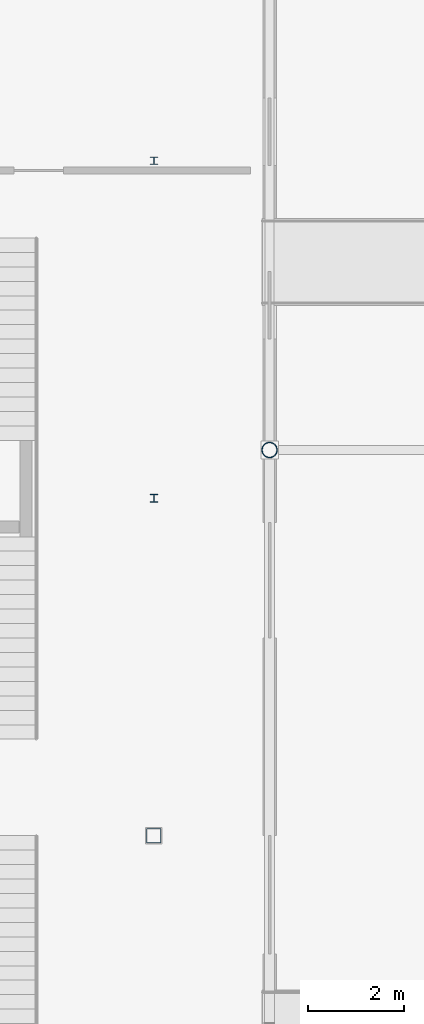
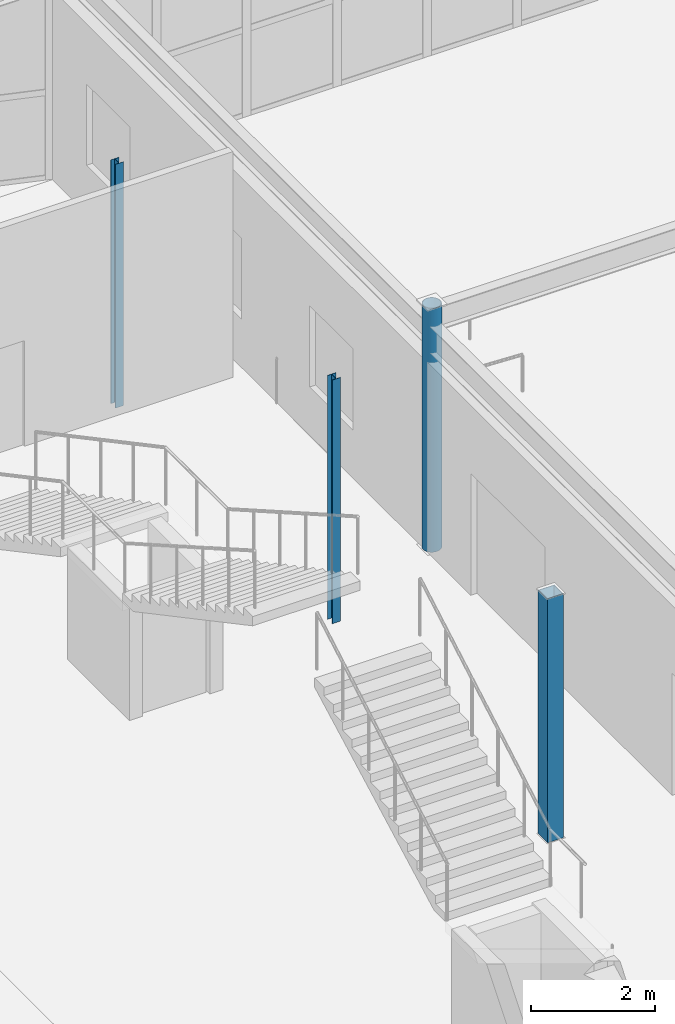
# One storey, part 51 of 199: 4 columns.
"""IFC4 building model written with IfcOpenShell, lengths in metres."""

from ifc_helpers import new_model, si_unit, direction, frame, origin, origin_2d, place, context, subcontext, project, spatial, hollow_rectangle, hollow_circle, i_section, extrude, material, material_profile, profile_set, type_object, element, save


model = new_model("IFC4")

# Units and contexts
model_context = context("Model", 3, precision=1e-05, world=origin(), true_north=direction((0.0, 1.0)))
body_context = subcontext(model_context, "Body", "Model", "MODEL_VIEW")
ifc_project = project(units=[si_unit("LENGTHUNIT", "METRE"), si_unit("AREAUNIT", "SQUARE_METRE"), si_unit("VOLUMEUNIT", "CUBIC_METRE"), si_unit("PLANEANGLEUNIT", "RADIAN"), si_unit("MASSUNIT", "GRAM", prefix="KILO")], contexts=[model_context])

# Site, building, storey
site_placement = place(None, origin())
site = spatial("IfcSite", under=ifc_project, at=site_placement, CompositionType="ELEMENT")
building_placement = place(site_placement, origin())
building = spatial("IfcBuilding", under=site, at=building_placement, Name="Tarnwether General Hospital", CompositionType="ELEMENT")
storey_placement = place(building_placement, origin())
storey = spatial("IfcBuildingStorey", under=building, at=storey_placement, Name="L00", CompositionType="ELEMENT", Elevation=0.0)

# Columns
ifc_material_1 = material(Name="Steel Grade C350L0 (350 MPa)", Category="steel")
ifc_material_profile_1 = material_profile(ifc_material_1, hollow_circle(Radius=0.161865234375, WallThickness=0.0126953125, at=origin_2d()), Name="CHS323.9x12.7")
ifc_profile_set_1 = profile_set([ifc_material_profile_1], Name="Steel Grade C350L0 (350 MPa)")
column_type_1 = type_object("IfcColumnType", Name="COL-26", PredefinedType="COLUMN", material=ifc_profile_set_1)
column_1_placement = place(storey_placement, frame((144.0, 69.60009765625, 0.0), z_axis=(0.0, 0.0, 1.0), x_axis=(1.0, 0.0, 0.0)))
element("IfcColumn", 1, at=column_1_placement, inside=storey, type_object=column_type_1, Name="Column COLG-L00-14400_6960", PredefinedType="COLUMN", context=body_context, shape_type="SweptSolid", body=[
    extrude(hollow_circle(Radius=0.161865234375, WallThickness=0.0126953125, at=origin_2d()), origin(), (0.0, 0.0, 1.0), 4.800048828125),
])
ifc_material_2 = material(Name="Steel Grade C350L0 (350 MPa)", Category="steel")
ifc_material_profile_2 = material_profile(ifc_material_2, hollow_rectangle(XDim=0.300048828125, YDim=0.300048828125, WallThickness=0.012451171875, at=origin_2d()), Name="SHS300x300x12.5")
ifc_profile_set_2 = profile_set([ifc_material_profile_2], Name="Steel Grade C350L0 (350 MPa)")
column_type_2 = type_object("IfcColumnType", Name="COL-30", PredefinedType="COLUMN", material=ifc_profile_set_2)
column_2_placement = place(storey_placement, frame((141.60009765625, 61.60009765625, 0.0), z_axis=(0.0, 0.0, 1.0), x_axis=(1.0, 0.0, 0.0)))
element("IfcColumn", 2, at=column_2_placement, inside=storey, type_object=column_type_2, Name="Column COLG-L00-14160_6160", PredefinedType="COLUMN", context=body_context, shape_type="SweptSolid", body=[
    extrude(hollow_rectangle(XDim=0.300048828125, YDim=0.300048828125, WallThickness=0.012451171875, at=origin_2d()), origin(), (0.0, 0.0, 1.0), 4.800048828125),
])
ifc_material_3 = material(Name="Steel Grade 350 (350 MPa)", Category="steel")
ifc_material_profile_3 = material_profile(ifc_material_3, i_section(OverallWidth=0.153076171875, OverallDepth=0.157958984375, WebThickness=0.006591796875, FlangeThickness=0.009521484375, at=origin_2d()), Name="150UC30.0")
ifc_profile_set_3 = profile_set([ifc_material_profile_3], Name="Steel Grade 350 (350 MPa)")
column_type_3 = type_object("IfcColumnType", Name="COL-31", PredefinedType="COLUMN", material=ifc_profile_set_3)
column_3_placement = place(storey_placement, frame((141.60009765625, 68.60009765625, 0.0), z_axis=(0.0, 0.0, 1.0), x_axis=(1.0, 0.0, 0.0)))
element("IfcColumn", 3, at=column_3_placement, inside=storey, type_object=column_type_3, Name="Column COLG-L00-14160_6860", PredefinedType="COLUMN", context=body_context, shape_type="SweptSolid", body=[
    extrude(i_section(OverallWidth=0.153076171875, OverallDepth=0.157958984375, WebThickness=0.006591796875, FlangeThickness=0.009521484375, at=origin_2d()), origin(), (0.0, 0.0, 1.0), 4.800048828125),
])
ifc_material_4 = material(Name="Steel Grade 350 (350 MPa)", Category="steel")
ifc_material_profile_4 = material_profile(ifc_material_4, i_section(OverallWidth=0.152099609375, OverallDepth=0.152099609375, WebThickness=0.006103515625, FlangeThickness=0.0068359375, at=origin_2d()), Name="150UC23.4")
ifc_profile_set_4 = profile_set([ifc_material_profile_4], Name="Steel Grade 350 (350 MPa)")
column_type_4 = type_object("IfcColumnType", Name="COL-32", PredefinedType="COLUMN", material=ifc_profile_set_4)
column_4_placement = place(storey_placement, frame((141.60009765625, 75.60009765625, 0.0), z_axis=(0.0, 0.0, 1.0), x_axis=(1.0, 0.0, 0.0)))
element("IfcColumn", 4, at=column_4_placement, inside=storey, type_object=column_type_4, Name="Column COLG-L00-14160_7560", PredefinedType="COLUMN", context=body_context, shape_type="SweptSolid", body=[
    extrude(i_section(OverallWidth=0.152099609375, OverallDepth=0.152099609375, WebThickness=0.006103515625, FlangeThickness=0.0068359375, at=origin_2d()), origin(), (0.0, 0.0, 1.0), 4.800048828125),
])

save(model, "model.ifc")
